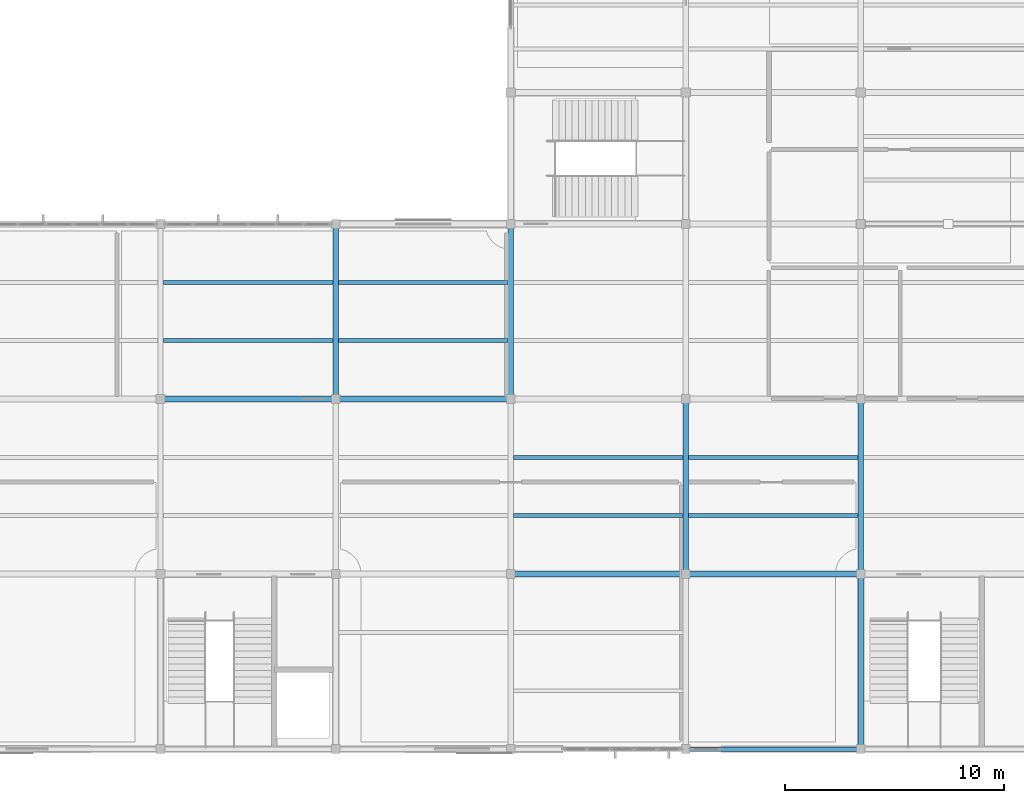
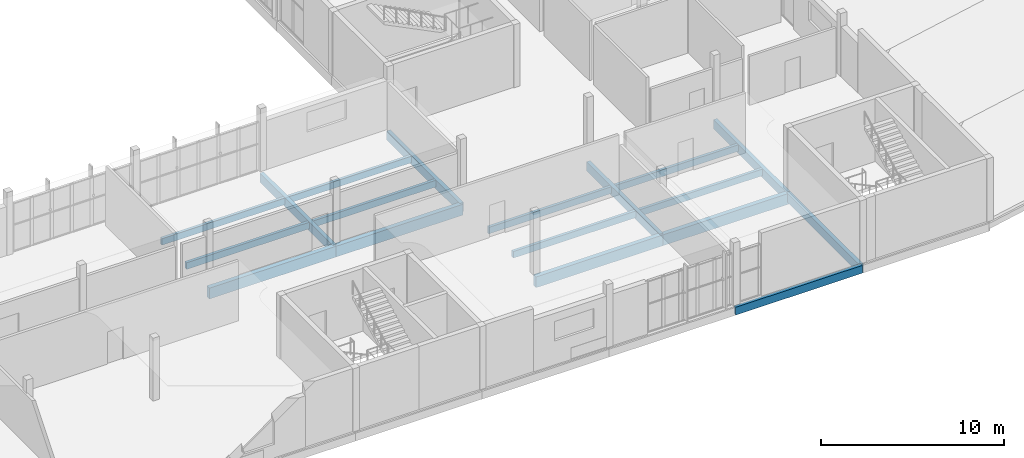
# One storey, part 14 of 45: 18 beams.
"""IFC4 building model written with IfcOpenShell, lengths in metres."""

from ifc_helpers import new_model, si_unit, direction, frame, origin, origin_2d, place, context, subcontext, project, spatial, rectangle, extrude, material, material_profile, profile_set, type_object, element, save


model = new_model("IFC4")

# Units and contexts
model_context = context("Model", 3, precision=1e-05, world=origin(), true_north=direction((0.0, 1.0)))
body_context = subcontext(model_context, "Body", "Model", "MODEL_VIEW")
ifc_project = project(units=[si_unit("LENGTHUNIT", "METRE"), si_unit("AREAUNIT", "SQUARE_METRE"), si_unit("VOLUMEUNIT", "CUBIC_METRE"), si_unit("PLANEANGLEUNIT", "RADIAN"), si_unit("MASSUNIT", "GRAM", prefix="KILO")], contexts=[model_context])

# Site, building, storey
site_placement = place(None, origin())
site = spatial("IfcSite", under=ifc_project, at=site_placement, CompositionType="ELEMENT")
building_placement = place(site_placement, origin())
building = spatial("IfcBuilding", under=site, at=building_placement, Name="Solvane Community Centre", CompositionType="ELEMENT")
storey_placement = place(building_placement, frame((0.0, 0.0, 13.800048828125)))
storey = spatial("IfcBuildingStorey", under=building, at=storey_placement, Name="L03", CompositionType="ELEMENT", Elevation=13.800048828125)

# Beams
ifc_material = material(Name="Glulam GL28h", Category="wood")
ifc_material_profile_1 = material_profile(ifc_material, rectangle(XDim=0.239990234375, YDim=0.60009765625, at=origin_2d()), Name="GL28h 240x600")
ifc_profile_set_1 = profile_set([ifc_material_profile_1], Name="Glulam GL28h")
beam_type_1 = type_object("IfcBeamType", Name="Glulam Floor Beam 240x600", PredefinedType="BEAM", material=ifc_profile_set_1)
for number, where, z_axis, x_axis, name in (
    (1, (108.0, 22.0, -0.52001953125), (0.0, 1.0, 0.0), (-1.0, 0.0, 0.0), "Beam BM-L03-1080_220-1080_300"),
    (2, (116.0, 22.0, -0.52001953125), (0.0, 1.0, 0.0), (-1.0, 0.0, 0.0), "Beam BM-L03-1160_220-1160_300"),
    (3, (124.0, 14.0, -0.52001953125), (0.0, 1.0, 0.0), (-1.0, 0.0, 0.0), "Beam BM-L03-1240_140-1240_220"),
    (4, (132.0, 6.0, -0.52001953125), (0.0, 1.0, 0.0), (-1.0, 0.0, 0.0), "Beam BM-L03-1320_60-1320_140"),
    (5, (132.0, 14.0, -0.52001953125), (0.0, 1.0, 0.0), (-1.0, 0.0, 0.0), "Beam BM-L03-1320_140-1320_220"),
):
    element("IfcBeam", number, at=place(storey_placement, frame(where, z_axis=z_axis, x_axis=x_axis)), inside=storey, type_object=beam_type_1, Name=name, PredefinedType="BEAM", context=body_context, shape_type="SweptSolid", body=[
        extrude(rectangle(XDim=0.239990234375, YDim=0.60009765625, at=origin_2d()), origin(), (0.0, 0.0, 1.0), 8.0),
    ])
ifc_material_profile_2 = material_profile(ifc_material, rectangle(XDim=0.179931640625, YDim=0.43994140625, at=origin_2d()), Name="GL28h 180x440")
ifc_profile_set_2 = profile_set([ifc_material_profile_2], Name="Glulam GL28h")
beam_type_2 = type_object("IfcBeamType", Name="Glulam Floor Joist 180x440", PredefinedType="JOIST", material=ifc_profile_set_2)
for number, where, z_axis, x_axis, name in (
    (6, (100.1298828125, 24.666748046875, -0.43994140625), (1.0, 0.0, 0.0), (0.0, 1.0, 0.0), "Beam BM-L03-1001_247-1079_247"),
    (7, (100.1298828125, 27.333251953125, -0.43994140625), (1.0, 0.0, 0.0), (0.0, 1.0, 0.0), "Beam BM-L03-1001_273-1079_273"),
    (8, (108.1298828125, 24.666748046875, -0.43994140625), (1.0, 0.0, 0.0), (0.0, 1.0, 0.0), "Beam BM-L03-1081_247-1159_247"),
    (9, (108.1298828125, 27.333251953125, -0.43994140625), (1.0, 0.0, 0.0), (0.0, 1.0, 0.0), "Beam BM-L03-1081_273-1159_273"),
    (10, (116.1298828125, 16.666748046875, -0.43994140625), (1.0, 0.0, 0.0), (0.0, 1.0, 0.0), "Beam BM-L03-1161_167-1239_167"),
    (11, (116.1298828125, 19.333251953125, -0.43994140625), (1.0, 0.0, 0.0), (0.0, 1.0, 0.0), "Beam BM-L03-1161_193-1239_193"),
    (12, (124.1298828125, 16.666748046875, -0.43994140625), (1.0, 0.0, 0.0), (0.0, 1.0, 0.0), "Beam BM-L03-1241_167-1319_167"),
    (13, (124.1298828125, 19.333251953125, -0.43994140625), (1.0, 0.0, 0.0), (0.0, 1.0, 0.0), "Beam BM-L03-1241_193-1319_193"),
):
    element("IfcBeam", number, at=place(storey_placement, frame(where, z_axis=z_axis, x_axis=x_axis)), inside=storey, type_object=beam_type_2, Name=name, PredefinedType="JOIST", context=body_context, shape_type="SweptSolid", body=[
        extrude(rectangle(XDim=0.179931640625, YDim=0.43994140625, at=origin_2d()), origin(), (0.0, 0.0, 1.0), 7.740234375),
    ])
ifc_material_profile_3 = material_profile(ifc_material, rectangle(XDim=0.280029296875, YDim=0.719970703125, at=origin_2d()), Name="GL28h 280x720")
ifc_profile_set_3 = profile_set([ifc_material_profile_3], Name="Glulam GL28h")
beam_type_3 = type_object("IfcBeamType", Name="Glulam Long-Span Girder 280x720", PredefinedType="USERDEFINED", material=ifc_profile_set_3)
for number, where, z_axis, x_axis, name in (
    (14, (116.0, 14.0, -0.580078125), (1.0, 0.0, 0.0), (0.0, 1.0, 0.0), "Beam BM-L03-1160_140-1240_140"),
    (15, (124.0, 14.0, -0.580078125), (1.0, 0.0, 0.0), (0.0, 1.0, 0.0), "Beam BM-L03-1240_140-1320_140"),
    (16, (100.0, 22.0, -0.580078125), (1.0, 0.0, 0.0), (0.0, 1.0, 0.0), "Beam BM-L03-1000_220-1080_220"),
    (17, (108.0, 22.0, -0.580078125), (1.0, 0.0, 0.0), (0.0, 1.0, 0.0), "Beam BM-L03-1080_220-1160_220"),
):
    element("IfcBeam", number, at=place(storey_placement, frame(where, z_axis=z_axis, x_axis=x_axis)), inside=storey, type_object=beam_type_3, Name=name, ObjectType="GIRDER", PredefinedType="USERDEFINED", context=body_context, shape_type="SweptSolid", body=[
        extrude(rectangle(XDim=0.280029296875, YDim=0.719970703125, at=origin_2d()), origin(), (0.0, 0.0, 1.0), 8.0),
    ])
ifc_material_profile_4 = material_profile(ifc_material, rectangle(XDim=0.199951171875, YDim=0.52001953125, at=origin_2d()), Name="GL28h 200x520")
ifc_profile_set_4 = profile_set([ifc_material_profile_4], Name="Glulam GL28h")
beam_type_4 = type_object("IfcBeamType", Name="Glulam Spandrel Beam 200x520", PredefinedType="SPANDREL", material=ifc_profile_set_4)
beam_placement = place(storey_placement, frame((124.0, 6.0, -0.47998046875), z_axis=(1.0, 0.0, 0.0), x_axis=(0.0, 1.0, 0.0)))
element("IfcBeam", 18, at=beam_placement, inside=storey, type_object=beam_type_4, Name="Beam BM-L03-1240_60-1320_60", PredefinedType="SPANDREL", context=body_context, shape_type="SweptSolid", body=[
    extrude(rectangle(XDim=0.199951171875, YDim=0.52001953125, at=origin_2d()), origin(), (0.0, 0.0, 1.0), 8.0),
])

save(model, "model.ifc")
